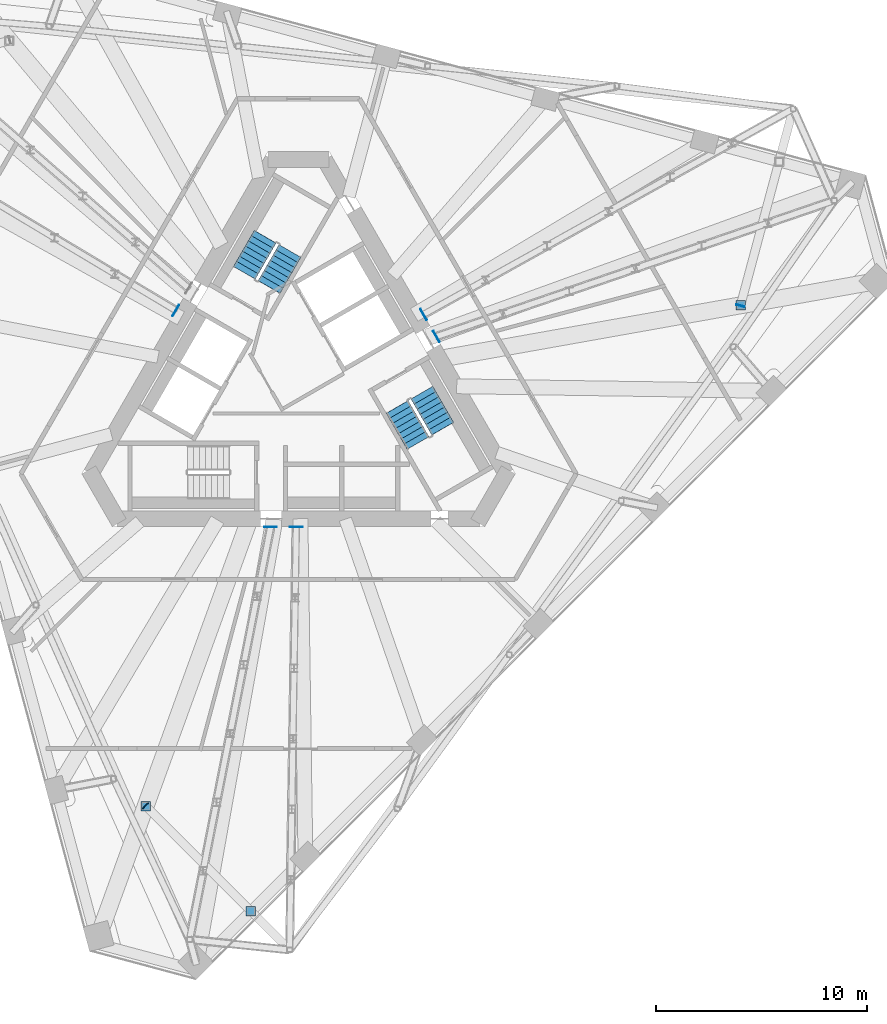
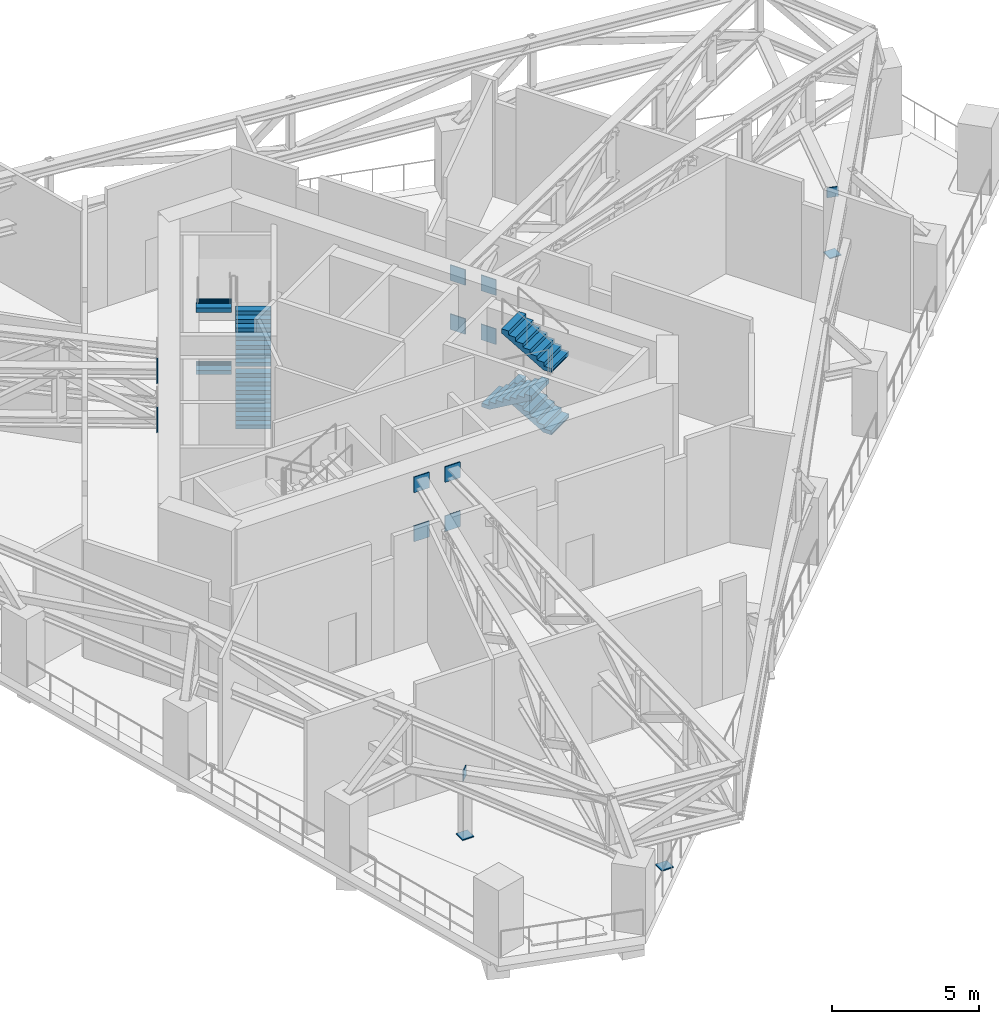
# One storey, part 16 of 22: 15 discrete accessories, 7 stair flights, 2 elements without a shape of their own.
"""IFC4 building model written with IfcOpenShell, lengths in metres."""

from ifc_helpers import new_model, si_unit, direction, frame, origin, origin_2d, place, context, subcontext, project, spatial, polyline, rectangle, outline, extrude, material, layer, layer_set, type_object, element, aggregate, save


model = new_model("IFC4")

# Units and contexts
model_context = context("Model", 3, precision=1e-05, world=origin(), true_north=direction((0.0, 1.0)))
body_context = subcontext(model_context, "Body", "Model", "MODEL_VIEW")
ifc_project = project(units=[si_unit("LENGTHUNIT", "METRE"), si_unit("AREAUNIT", "SQUARE_METRE"), si_unit("VOLUMEUNIT", "CUBIC_METRE"), si_unit("PLANEANGLEUNIT", "RADIAN"), si_unit("MASSUNIT", "GRAM", prefix="KILO")], contexts=[model_context])

# Site, building, storey
site_placement = place(None, origin())
site = spatial("IfcSite", under=ifc_project, at=site_placement, CompositionType="ELEMENT")
building_placement = place(site_placement, origin())
building = spatial("IfcBuilding", under=site, at=building_placement, Name="Tramontana Tower", CompositionType="ELEMENT")
storey_placement = place(building_placement, frame((0.0, 0.0, 232.0)))
storey = spatial("IfcBuildingStorey", under=building, at=storey_placement, Name="L54", CompositionType="ELEMENT", Elevation=232.0)

# Stair, stair flights
ifc_material_1 = material(Name="Concrete 40 MPa", Category="concrete")
stair_type = type_object("IfcStairType", Name="EXIT STAIR 32 RISERS", PredefinedType="HALF_TURN_STAIR", material=ifc_material_1)
stair_1_placement = place(storey_placement, origin())
stair_1 = element("IfcStair", 1, at=stair_1_placement, inside=storey, type_object=stair_type, Name="L54 Exit stair ST1", PredefinedType="HALF_TURN_STAIR")
ifc_material_2 = material(Name="Concrete 40 MPa", Category="concrete")
ifc_layer_1 = layer(ifc_material_2, 0.14990234375)
ifc_layer_set_1 = layer_set([ifc_layer_1], Name="EXIT STAIR FLIGHT")
stair_flight_type = type_object("IfcStairFlightType", Name="EXIT STAIR FLIGHT", PredefinedType="STRAIGHT", material=ifc_layer_set_1)
stair_flight_1_placement = place(storey_placement, frame((-1.39111328125, 4.590576171875, 0.0), z_axis=(0.0, 0.0, 1.0), x_axis=(0.5, 0.866025403784, 0.0)))
stair_flight_1 = element("IfcStairFlight", 2, at=stair_flight_1_placement, type_object=stair_flight_type, Name="ST1 flight 1", NumberOfRisers=8, NumberOfTreads=7, PredefinedType="STRAIGHT", RiserHeight=0.1625, TreadLength=0.28, context=body_context, shape_type="SweptSolid", body=[
    extrude(outline(polyline([(-0.006103515625, 0.0), (-0.006103515625, 0.0400390625), (0.0, 0.0400390625), (0.0, 0.16259765625), (0.280029296875, 0.16259765625), (0.280029296875, 0.324951171875), (0.56005859375, 0.324951171875), (0.56005859375, 0.487548828125), (0.840087890625, 0.487548828125), (0.840087890625, 0.64990234375), (1.1201171875, 0.64990234375), (1.1201171875, 0.8125), (1.39990234375, 0.8125), (1.39990234375, 0.97509765625), (1.679931640625, 0.97509765625), (1.679931640625, 1.137451171875), (1.9599609375, 1.137451171875), (1.966064453125, 1.137451171875), (1.966064453125, 0.964111328125), (0.3046875, 0.0), (-0.006103515625, 0.0)])), frame((0.0, 0.60009765625, 0.0), z_axis=(0.0, -1.0, 0.0), x_axis=(1.0, 0.0, 0.0)), (0.0, 0.0, 1.0), 1.199951171875),
])
stair_flight_2_placement = place(storey_placement, frame((-1.580322265625, 6.962890625, 1.300048828125), z_axis=(0.0, 0.0, 1.0), x_axis=(-0.5, -0.866025403784, 0.0)))
stair_flight_2 = element("IfcStairFlight", 3, at=stair_flight_2_placement, type_object=stair_flight_type, Name="ST1 flight 2", NumberOfRisers=8, NumberOfTreads=7, PredefinedType="STRAIGHT", RiserHeight=0.1625, TreadLength=0.28, context=body_context, shape_type="SweptSolid", body=[
    extrude(outline(polyline([(-0.006103515625, 0.0), (-0.006103515625, 0.0400390625), (0.0, 0.0400390625), (0.0, 0.16259765625), (0.280029296875, 0.16259765625), (0.280029296875, 0.324951171875), (0.56005859375, 0.324951171875), (0.56005859375, 0.487548828125), (0.840087890625, 0.487548828125), (0.840087890625, 0.64990234375), (1.1201171875, 0.64990234375), (1.1201171875, 0.8125), (1.39990234375, 0.8125), (1.39990234375, 0.97509765625), (1.679931640625, 0.97509765625), (1.679931640625, 1.137451171875), (1.9599609375, 1.137451171875), (1.966064453125, 1.137451171875), (1.966064453125, 0.964111328125), (0.3046875, 0.0), (-0.006103515625, 0.0)])), frame((0.0, 0.60009765625, 0.0), z_axis=(0.0, -1.0, 0.0), x_axis=(1.0, 0.0, 0.0)), (0.0, 0.0, 1.0), 1.199951171875),
])
stair_flight_3_placement = place(storey_placement, frame((-1.39111328125, 4.590576171875, 2.60009765625), z_axis=(0.0, 0.0, 1.0), x_axis=(0.5, 0.866025403784, 0.0)))
stair_flight_3 = element("IfcStairFlight", 4, at=stair_flight_3_placement, type_object=stair_flight_type, Name="ST1 flight 3", NumberOfRisers=8, NumberOfTreads=7, PredefinedType="STRAIGHT", RiserHeight=0.1625, TreadLength=0.28, context=body_context, shape_type="SweptSolid", body=[
    extrude(outline(polyline([(-0.006103515625, 0.0), (-0.006103515625, 0.0400390625), (0.0, 0.0400390625), (0.0, 0.16259765625), (0.280029296875, 0.16259765625), (0.280029296875, 0.324951171875), (0.56005859375, 0.324951171875), (0.56005859375, 0.487548828125), (0.840087890625, 0.487548828125), (0.840087890625, 0.64990234375), (1.1201171875, 0.64990234375), (1.1201171875, 0.8125), (1.39990234375, 0.8125), (1.39990234375, 0.97509765625), (1.679931640625, 0.97509765625), (1.679931640625, 1.137451171875), (1.9599609375, 1.137451171875), (1.966064453125, 1.137451171875), (1.966064453125, 0.964111328125), (0.3046875, 0.0), (-0.006103515625, 0.0)])), frame((0.0, 0.60009765625, 0.0), z_axis=(0.0, -1.0, 0.0), x_axis=(1.0, 0.0, 0.0)), (0.0, 0.0, 1.0), 1.199951171875),
])
stair_flight_4_placement = place(storey_placement, frame((-1.580322265625, 6.962890625, 3.89990234375), z_axis=(0.0, 0.0, 1.0), x_axis=(-0.5, -0.866025403784, 0.0)))
stair_flight_4 = element("IfcStairFlight", 5, at=stair_flight_4_placement, type_object=stair_flight_type, Name="ST1 flight 4", NumberOfRisers=8, NumberOfTreads=7, PredefinedType="STRAIGHT", RiserHeight=0.1625, TreadLength=0.28, context=body_context, shape_type="SweptSolid", body=[
    extrude(outline(polyline([(-0.006103515625, 0.0), (-0.006103515625, 0.0400390625), (0.0, 0.0400390625), (0.0, 0.16259765625), (0.280029296875, 0.16259765625), (0.280029296875, 0.324951171875), (0.56005859375, 0.324951171875), (0.56005859375, 0.487548828125), (0.840087890625, 0.487548828125), (0.840087890625, 0.64990234375), (1.1201171875, 0.64990234375), (1.1201171875, 0.8125), (1.39990234375, 0.8125), (1.39990234375, 0.97509765625), (1.679931640625, 0.97509765625), (1.679931640625, 1.137451171875), (1.9599609375, 1.137451171875), (1.966064453125, 1.137451171875), (1.966064453125, 0.964111328125), (0.3046875, 0.0), (-0.006103515625, 0.0)])), frame((0.0, 0.60009765625, 0.0), z_axis=(0.0, -1.0, 0.0), x_axis=(1.0, 0.0, 0.0)), (0.0, 0.0, 1.0), 1.199951171875),
])
aggregate(stair_1, [stair_flight_1, stair_flight_2, stair_flight_3, stair_flight_4])

stair_2_placement = place(storey_placement, origin())
stair_2 = element("IfcStair", 6, at=stair_2_placement, inside=storey, type_object=stair_type, Name="L54 Exit stair ST3", PredefinedType="HALF_TURN_STAIR")
stair_flight_5_placement = place(storey_placement, frame((6.8203125, -2.113037109375, 1.300048828125), z_axis=(0.0, 0.0, 1.0), x_axis=(-0.5, 0.866025403784, 0.0)))
stair_flight_5 = element("IfcStairFlight", 7, at=stair_flight_5_placement, type_object=stair_flight_type, Name="ST3 flight 2", NumberOfRisers=8, NumberOfTreads=7, PredefinedType="STRAIGHT", RiserHeight=0.1625, TreadLength=0.28, context=body_context, shape_type="SweptSolid", body=[
    extrude(outline(polyline([(-0.006103515625, 0.0), (-0.006103515625, 0.0400390625), (0.0, 0.0400390625), (0.0, 0.16259765625), (0.280029296875, 0.16259765625), (0.280029296875, 0.324951171875), (0.56005859375, 0.324951171875), (0.56005859375, 0.487548828125), (0.840087890625, 0.487548828125), (0.840087890625, 0.64990234375), (1.1201171875, 0.64990234375), (1.1201171875, 0.8125), (1.39990234375, 0.8125), (1.39990234375, 0.97509765625), (1.679931640625, 0.97509765625), (1.679931640625, 1.137451171875), (1.9599609375, 1.137451171875), (1.966064453125, 1.137451171875), (1.966064453125, 0.964111328125), (0.3046875, 0.0), (-0.006103515625, 0.0)])), frame((0.0, 0.60009765625, 0.0), z_axis=(0.0, -1.0, 0.0), x_axis=(1.0, 0.0, 0.0)), (0.0, 0.0, 1.0), 1.199951171875),
])
stair_flight_6_placement = place(storey_placement, frame((4.671142578125, -1.090576171875, 2.60009765625), z_axis=(0.0, 0.0, 1.0), x_axis=(0.5, -0.866025403784, 0.0)))
stair_flight_6 = element("IfcStairFlight", 8, at=stair_flight_6_placement, type_object=stair_flight_type, Name="ST3 flight 3", NumberOfRisers=8, NumberOfTreads=7, PredefinedType="STRAIGHT", RiserHeight=0.1625, TreadLength=0.28, context=body_context, shape_type="SweptSolid", body=[
    extrude(outline(polyline([(-0.006103515625, 0.0), (-0.006103515625, 0.0400390625), (0.0, 0.0400390625), (0.0, 0.16259765625), (0.280029296875, 0.16259765625), (0.280029296875, 0.324951171875), (0.56005859375, 0.324951171875), (0.56005859375, 0.487548828125), (0.840087890625, 0.487548828125), (0.840087890625, 0.64990234375), (1.1201171875, 0.64990234375), (1.1201171875, 0.8125), (1.39990234375, 0.8125), (1.39990234375, 0.97509765625), (1.679931640625, 0.97509765625), (1.679931640625, 1.137451171875), (1.9599609375, 1.137451171875), (1.966064453125, 1.137451171875), (1.966064453125, 0.964111328125), (0.3046875, 0.0), (-0.006103515625, 0.0)])), frame((0.0, 0.60009765625, 0.0), z_axis=(0.0, -1.0, 0.0), x_axis=(1.0, 0.0, 0.0)), (0.0, 0.0, 1.0), 1.199951171875),
])
stair_flight_7_placement = place(storey_placement, frame((6.8203125, -2.113037109375, 3.89990234375), z_axis=(0.0, 0.0, 1.0), x_axis=(-0.5, 0.866025403784, 0.0)))
stair_flight_7 = element("IfcStairFlight", 9, at=stair_flight_7_placement, type_object=stair_flight_type, Name="ST3 flight 4", NumberOfRisers=8, NumberOfTreads=7, PredefinedType="STRAIGHT", RiserHeight=0.1625, TreadLength=0.28, context=body_context, shape_type="SweptSolid", body=[
    extrude(outline(polyline([(-0.006103515625, 0.0), (-0.006103515625, 0.0400390625), (0.0, 0.0400390625), (0.0, 0.16259765625), (0.280029296875, 0.16259765625), (0.280029296875, 0.324951171875), (0.56005859375, 0.324951171875), (0.56005859375, 0.487548828125), (0.840087890625, 0.487548828125), (0.840087890625, 0.64990234375), (1.1201171875, 0.64990234375), (1.1201171875, 0.8125), (1.39990234375, 0.8125), (1.39990234375, 0.97509765625), (1.679931640625, 0.97509765625), (1.679931640625, 1.137451171875), (1.9599609375, 1.137451171875), (1.966064453125, 1.137451171875), (1.966064453125, 0.964111328125), (0.3046875, 0.0), (-0.006103515625, 0.0)])), frame((0.0, 0.60009765625, 0.0), z_axis=(0.0, -1.0, 0.0), x_axis=(1.0, 0.0, 0.0)), (0.0, 0.0, 1.0), 1.199951171875),
])
aggregate(stair_2, [stair_flight_5, stair_flight_6, stair_flight_7])

# Discrete accessories
ifc_material_3 = material(Name="Steel ASTM A572 Grade 50", Category="steel")
ifc_layer_2 = layer(ifc_material_3, 0.0400390625)
ifc_layer_set_2 = layer_set([ifc_layer_2], Name="Base plate 450X450X40")
discrete_accessory_type_1 = type_object("IfcDiscreteAccessoryType", Name="Base plate 450X450X40", PredefinedType="ANCHORPLATE", material=ifc_layer_set_2)
for number, where, z_axis, x_axis, name in (
    (10, (-2.254150390625, -24.9521484375, 0.0), (0.0, 0.0, 1.0), (1.0, 0.0, 0.0), "Transfer truss post base plate C6K3.1"),
    (11, (-7.234130859375, -19.97216796875, 0.0), (0.0, 0.0, 1.0), (1.0, 0.0, 0.0), "Transfer truss post base plate C6K3.2"),
    (12, (20.913330078125, 3.72119140625, 0.0), (0.0, 0.0, 1.0), (1.0, 0.0, 0.0), "Transfer truss post base plate C6K5.2"),
):
    element("IfcDiscreteAccessory", number, at=place(storey_placement, frame(where, z_axis=z_axis, x_axis=x_axis)), inside=storey, type_object=discrete_accessory_type_1, Name=name, PredefinedType="ANCHORPLATE", context=body_context, shape_type="SweptSolid", body=[
        extrude(rectangle(XDim=0.449951171875, YDim=0.449951171875, at=origin_2d()), origin(), (0.0, 0.0, 1.0), 0.0400390625),
    ])
ifc_material_4 = material(Name="Steel ASTM A572 Grade 50", Category="steel")
ifc_layer_3 = layer(ifc_material_4, 0.0400390625)
ifc_layer_set_3 = layer_set([ifc_layer_3], Name="Cast-in plate 600X650X40")
discrete_accessory_type_2 = type_object("IfcDiscreteAccessoryType", Name="Cast-in plate 600X650X40", PredefinedType="ANCHORPLATE", material=ifc_layer_set_3)
for number, where, z_axis, x_axis, name in (
    (13, (-1.323486328125, -6.77001953125, 2.2783203125), (0.0, 0.0, 1.0), (1.0, 0.0, 0.0), "Cast-in plate Outrigger truss 1 bottom chord"),
    (14, (-1.323486328125, -6.77001953125, 4.32177734375), (0.0, 0.0, 1.0), (1.0, 0.0, 0.0), "Cast-in plate Outrigger truss 1 top chord"),
    (15, (-0.106689453125, -6.77001953125, 2.2783203125), (0.0, 0.0, 1.0), (1.0, 0.0, 0.0), "Cast-in plate Outrigger truss 2 bottom chord"),
    (16, (-0.106689453125, -6.77001953125, 4.32177734375), (0.0, 0.0, 1.0), (1.0, 0.0, 0.0), "Cast-in plate Outrigger truss 2 top chord"),
    (17, (6.52490234375, 2.23876953125, 2.2783203125), (0.0, 0.0, 1.0), (-0.5, 0.866025403784, 0.0), "Cast-in plate Outrigger truss 3 bottom chord"),
    (18, (6.52490234375, 2.23876953125, 4.32177734375), (0.0, 0.0, 1.0), (-0.5, 0.866025403784, 0.0), "Cast-in plate Outrigger truss 3 top chord"),
    (19, (5.916259765625, 3.29248046875, 2.2783203125), (0.0, 0.0, 1.0), (-0.5, 0.866025403784, 0.0), "Cast-in plate Outrigger truss 4 bottom chord"),
    (20, (5.916259765625, 3.29248046875, 4.32177734375), (0.0, 0.0, 1.0), (-0.5, 0.866025403784, 0.0), "Cast-in plate Outrigger truss 4 top chord"),
    (21, (-5.8095703125, 3.477294921875, 2.2783203125), (0.0, 0.0, 1.0), (-0.5, -0.866025403784, 0.0), "Cast-in plate Outrigger truss 6 bottom chord"),
    (22, (-5.8095703125, 3.477294921875, 4.32177734375), (0.0, 0.0, 1.0), (-0.5, -0.866025403784, 0.0), "Cast-in plate Outrigger truss 6 top chord"),
):
    element("IfcDiscreteAccessory", number, at=place(storey_placement, frame(where, z_axis=z_axis, x_axis=x_axis)), inside=storey, type_object=discrete_accessory_type_2, Name=name, PredefinedType="ANCHORPLATE", context=body_context, shape_type="SweptSolid", body=[
        extrude(rectangle(XDim=0.60009765625, YDim=0.0400390625, at=origin_2d()), origin(), (0.0, 0.0, 1.0), 0.64990234375),
    ])
ifc_material_5 = material(Name="Steel ASTM A572 Grade 50", Category="steel")
ifc_layer_4 = layer(ifc_material_5, 0.0400390625)
ifc_layer_set_4 = layer_set([ifc_layer_4], Name="End plate 403X406X40")
discrete_accessory_type_3 = type_object("IfcDiscreteAccessoryType", Name="End plate 403X406X40", PredefinedType="ANCHORPLATE", material=ifc_layer_set_4)
for number, where, z_axis, x_axis, name in (
    (23, (-7.248291015625, -19.9580078125, 2.39990234375), (0.0, 0.0, 1.0), (0.707106781187, 0.707106781187, 0.0), "Transfer truss girder end plate C6K3.2"),
    (24, (20.908203125, 3.70166015625, 2.39990234375), (0.0, 0.0, 1.0), (-0.965925826289, 0.258819045103, 0.0), "Transfer truss girder end plate C6K5.2"),
):
    element("IfcDiscreteAccessory", number, at=place(storey_placement, frame(where, z_axis=z_axis, x_axis=x_axis)), inside=storey, type_object=discrete_accessory_type_3, Name=name, PredefinedType="ANCHORPLATE", context=body_context, shape_type="SweptSolid", body=[
        extrude(rectangle(XDim=0.4033203125, YDim=0.0400390625, at=origin_2d()), origin(), (0.0, 0.0, 1.0), 0.406494140625),
    ])

save(model, "model.ifc")
